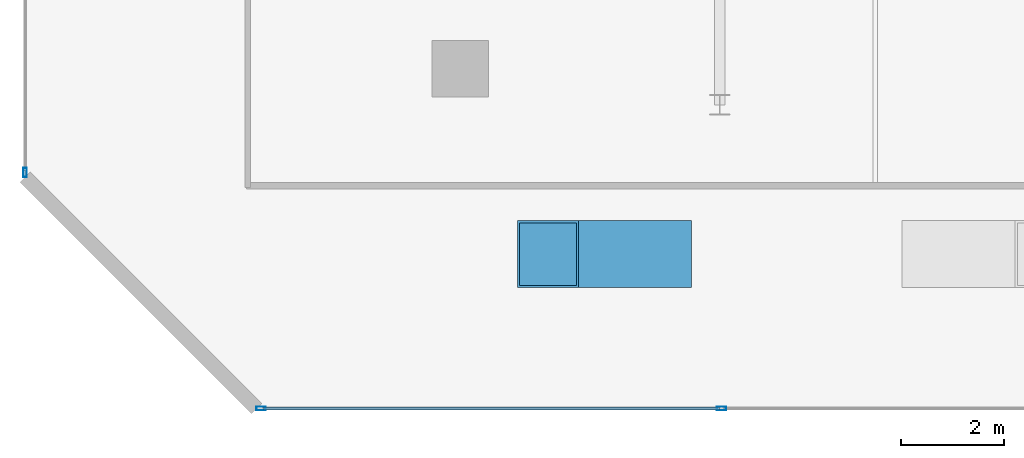
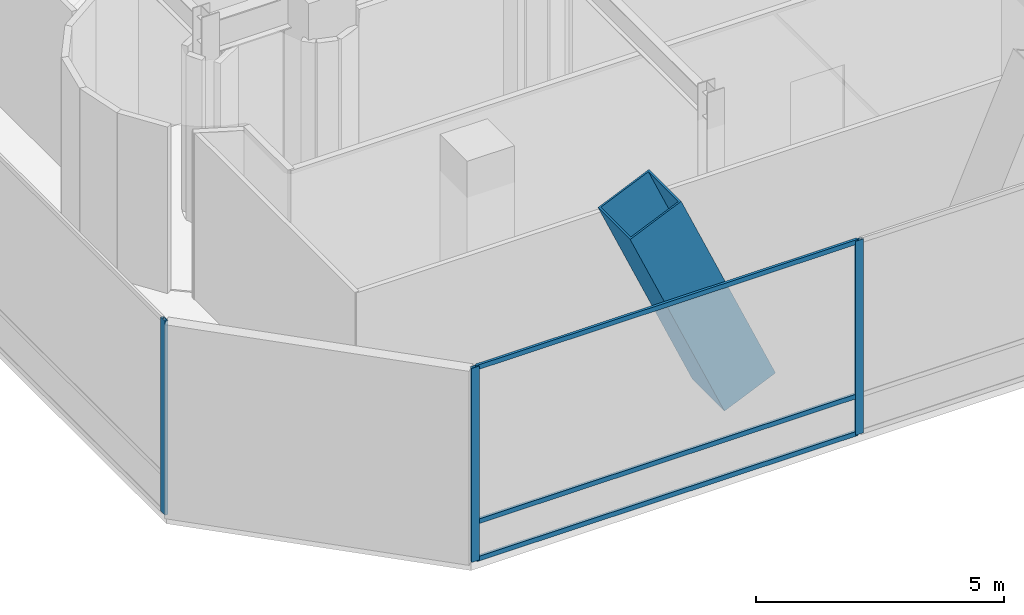
# One storey, part 5 of 42: 7 members, 2 elements without a shape of their own.
"""IFC4 building model written with IfcOpenShell, lengths in metres."""

from ifc_helpers import new_model, si_unit, direction, frame, origin, origin_2d, place, context, subcontext, project, spatial, hollow_rectangle, extrude, material, layer, layer_set, material_profile, profile_set, type_object, element, aggregate, save


model = new_model("IFC4")

# Units and contexts
model_context = context("Model", 3, precision=1e-05, world=origin(), true_north=direction((0.0, 1.0)))
body_context = subcontext(model_context, "Body", "Model", "MODEL_VIEW")
ifc_project = project(units=[si_unit("LENGTHUNIT", "METRE"), si_unit("AREAUNIT", "SQUARE_METRE"), si_unit("VOLUMEUNIT", "CUBIC_METRE"), si_unit("PLANEANGLEUNIT", "RADIAN"), si_unit("MASSUNIT", "GRAM", prefix="KILO")], contexts=[model_context])

# Site, building, storey
site_placement = place(None, origin())
site = spatial("IfcSite", under=ifc_project, at=site_placement, CompositionType="ELEMENT")
building_placement = place(site_placement, origin())
building = spatial("IfcBuilding", under=site, at=building_placement, Name="Qianvela Tower", CompositionType="ELEMENT")
storey_placement = place(building_placement, frame((0.0, 0.0, 6.0)))
storey = spatial("IfcBuildingStorey", under=building, at=storey_placement, Name="L01", CompositionType="ELEMENT", Elevation=6.0)

# Curtain wall, members
ifc_material_1 = material(Name="Anodised Architectural Aluminium and Low-E Glass", Category="aluminium")
ifc_layer = layer(ifc_material_1, 0.179931640625)
ifc_layer_set = layer_set([ifc_layer], Name="Anodised Architectural Aluminium and Low-E Glass")
curtain_wall_type = type_object("IfcCurtainWallType", Name="CW-COMMONS", PredefinedType="USERDEFINED", material=ifc_layer_set)
curtain_wall_1_placement = place(storey_placement, origin())
curtain_wall_1 = element("IfcCurtainWall", 1, at=curtain_wall_1_placement, inside=storey, type_object=curtain_wall_type, Name="L01 CW-COMMONS Curtain Wall 01", ObjectType="CURTAIN_WALL_SYSTEM", PredefinedType="USERDEFINED")
ifc_material_2 = material(Name="Anodised Architectural Aluminium 6063-T6", Category="aluminium")
ifc_material_profile_1 = material_profile(ifc_material_2, hollow_rectangle(XDim=0.070068359375, YDim=0.179931640625, WallThickness=0.0048828125, at=origin_2d()), Name="ALU-MULL-70x180")
ifc_profile_set_1 = profile_set([ifc_material_profile_1], Name="Anodised Architectural Aluminium 6063-T6")
member_type_1 = type_object("IfcMemberType", Name="CW-COMMONS-MULL", PredefinedType="MULLION", material=ifc_profile_set_1)
member_1_placement = place(storey_placement, frame((6.0849609375, 1.5, 0.0), z_axis=(0.0, 0.0, 1.0), x_axis=(0.0, 1.0, 0.0)))
member_1 = element("IfcMember", 2, at=member_1_placement, type_object=member_type_1, Name="CW-2 mullion 1", PredefinedType="MULLION", context=body_context, shape_type="SweptSolid", body=[
    extrude(hollow_rectangle(XDim=0.070068359375, YDim=0.179931640625, WallThickness=0.0048828125, at=origin_2d()), origin(), (0.0, 0.0, 1.0), 4.780029296875),
])
member_2_placement = place(storey_placement, frame((15.03564453125, 1.5, 0.0), z_axis=(0.0, 0.0, 1.0), x_axis=(0.0, 1.0, 0.0)))
member_2 = element("IfcMember", 3, at=member_2_placement, type_object=member_type_1, Name="CW-2 mullion 2", PredefinedType="MULLION", context=body_context, shape_type="SweptSolid", body=[
    extrude(hollow_rectangle(XDim=0.070068359375, YDim=0.179931640625, WallThickness=0.0048828125, at=origin_2d()), origin(), (0.0, 0.0, 1.0), 4.780029296875),
])

# Curtain wall, member
curtain_wall_2_placement = place(storey_placement, origin())
curtain_wall_2 = element("IfcCurtainWall", 4, at=curtain_wall_2_placement, inside=storey, type_object=curtain_wall_type, Name="L01 CW-COMMONS Curtain Wall 07", ObjectType="CURTAIN_WALL_SYSTEM", PredefinedType="USERDEFINED")
member_3_placement = place(storey_placement, frame((1.5, 6.0849609375, 0.0), z_axis=(0.0, 0.0, 1.0), x_axis=(1.0, 0.0, 0.0)))
member_3 = element("IfcMember", 5, at=member_3_placement, type_object=member_type_1, Name="CW-2 mullion 5", PredefinedType="MULLION", context=body_context, shape_type="SweptSolid", body=[
    extrude(hollow_rectangle(XDim=0.070068359375, YDim=0.179931640625, WallThickness=0.0048828125, at=origin_2d()), origin(), (0.0, 0.0, 1.0), 4.780029296875),
])
aggregate(curtain_wall_2, [member_3])

# Member
ifc_material_3 = material(Name="Anodised Architectural Aluminium 6063-T6", Category="aluminium")
ifc_material_profile_2 = material_profile(ifc_material_3, hollow_rectangle(XDim=0.06005859375, YDim=0.114990234375, WallThickness=0.00390625, at=origin_2d()), Name="ALU-TRAN-60x115")
ifc_profile_set_2 = profile_set([ifc_material_profile_2], Name="Anodised Architectural Aluminium 6063-T6")
member_type_2 = type_object("IfcMemberType", Name="CW-COMMONS-TRAN", PredefinedType="USERDEFINED", material=ifc_profile_set_2)
member_4_placement = place(storey_placement, frame((6.1201171875, 1.5, 0.030029296875), z_axis=(1.0, 0.0, 0.0), x_axis=(0.0, 1.0, 0.0)))
member_4 = element("IfcMember", 6, at=member_4_placement, type_object=member_type_2, Name="CW-2 transom 1.1", ObjectType="TRANSOM", PredefinedType="USERDEFINED", context=body_context, shape_type="SweptSolid", body=[
    extrude(hollow_rectangle(XDim=0.06005859375, YDim=0.114990234375, WallThickness=0.00390625, at=origin_2d()), origin(), (0.0, 0.0, 1.0), 8.880615234375),
])

member_5_placement = place(storey_placement, frame((6.1201171875, 1.5, 0.949951171875), z_axis=(1.0, 0.0, 0.0), x_axis=(0.0, 1.0, 0.0)))
member_5 = element("IfcMember", 7, at=member_5_placement, type_object=member_type_2, Name="CW-2 transom 1.2", ObjectType="TRANSOM", PredefinedType="USERDEFINED", context=body_context, shape_type="SweptSolid", body=[
    extrude(hollow_rectangle(XDim=0.06005859375, YDim=0.114990234375, WallThickness=0.00390625, at=origin_2d()), origin(), (0.0, 0.0, 1.0), 8.880615234375),
])

member_6_placement = place(storey_placement, frame((6.1201171875, 1.5, 4.75), z_axis=(1.0, 0.0, 0.0), x_axis=(0.0, 1.0, 0.0)))
member_6 = element("IfcMember", 8, at=member_6_placement, type_object=member_type_2, Name="CW-2 transom 1.3", ObjectType="TRANSOM", PredefinedType="USERDEFINED", context=body_context, shape_type="SweptSolid", body=[
    extrude(hollow_rectangle(XDim=0.06005859375, YDim=0.114990234375, WallThickness=0.00390625, at=origin_2d()), origin(), (0.0, 0.0, 1.0), 8.880615234375),
])

aggregate(curtain_wall_1, [member_1, member_2, member_4, member_5, member_6])

ifc_material_4 = material(Name="Steel Q420GJC", Category="steel")
ifc_material_profile_3 = material_profile(ifc_material_4, hollow_rectangle(XDim=1.300048828125, YDim=1.300048828125, WallThickness=0.044921875, at=origin_2d()), Name="VBOX-1300x1300x45")
ifc_profile_set_3 = profile_set([ifc_material_profile_3], Name="Steel Q420GJC")
member_type_3 = type_object("IfcMemberType", Name="MBR-VCOL-1300", PredefinedType="POST", material=ifc_profile_set_3)
member_7_placement = place(storey_placement, frame((13.860595703125, 4.5, 0.0), z_axis=(-0.402618783225, 0.0, 0.915367748719), x_axis=(0.0, -1.0, 0.0)))
element("IfcMember", 9, at=member_7_placement, inside=storey, type_object=member_type_3, Name="L01 Concourse Inclined V-Column VC-S1 Leg L", PredefinedType="POST", context=body_context, shape_type="SweptSolid", body=[
    extrude(hollow_rectangle(XDim=1.300048828125, YDim=1.300048828125, WallThickness=0.044921875, at=origin_2d()), origin(), (0.0, 0.0, 1.0), 5.46240234375),
])

save(model, "model.ifc")
